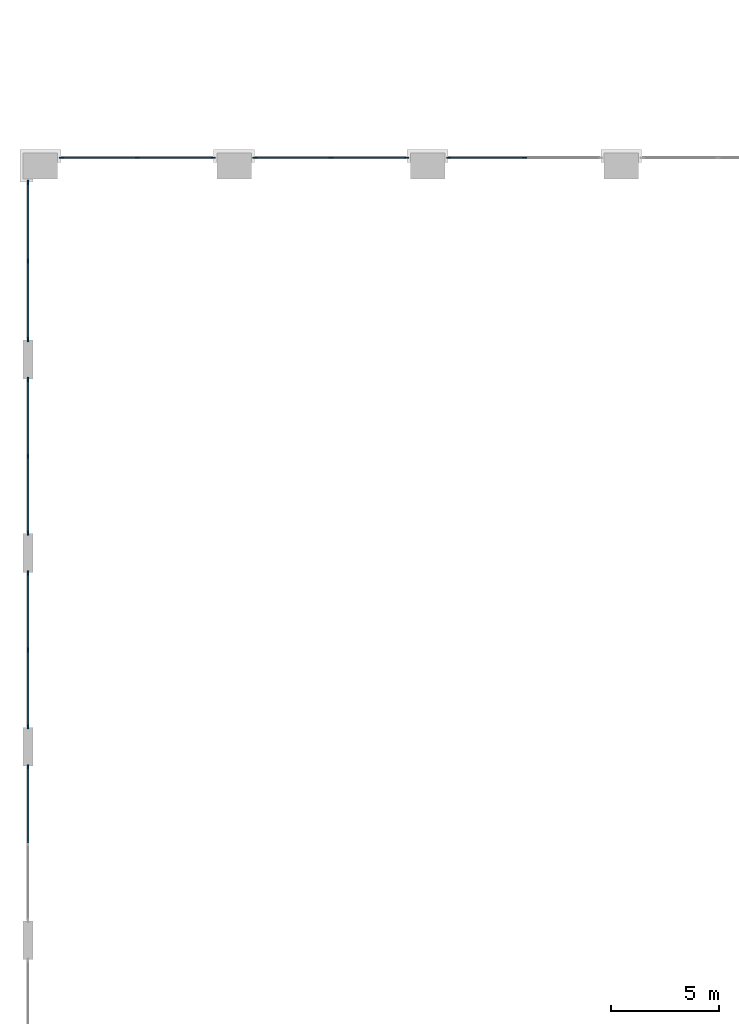
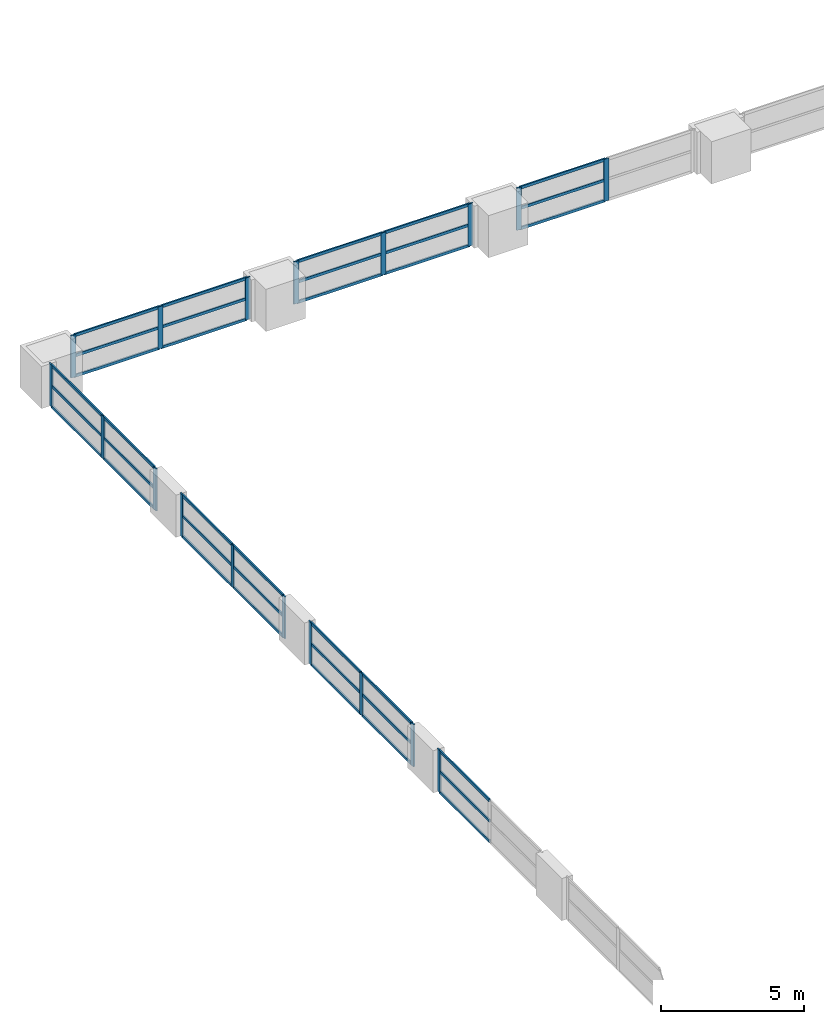
# One storey, part 5 of 32: 54 members, 7 elements without a shape of their own.
"""IFC4 building model written with IfcOpenShell, lengths in metres."""

from ifc_helpers import new_model, si_unit, direction, frame, origin, origin_2d, place, context, subcontext, project, spatial, rectangle, extrude, material, material_profile, profile_set, type_object, element, aggregate, save


model = new_model("IFC4")

# Units and contexts
model_context = context("Model", 3, precision=1e-05, world=origin(), true_north=direction((0.0, 1.0)))
body_context = subcontext(model_context, "Body", "Model", "MODEL_VIEW")
ifc_project = project(units=[si_unit("LENGTHUNIT", "METRE"), si_unit("AREAUNIT", "SQUARE_METRE"), si_unit("VOLUMEUNIT", "CUBIC_METRE"), si_unit("PLANEANGLEUNIT", "RADIAN"), si_unit("MASSUNIT", "GRAM", prefix="KILO")], contexts=[model_context])

# Site, building, storey
site_placement = place(None, origin())
site = spatial("IfcSite", under=ifc_project, at=site_placement, CompositionType="ELEMENT")
building_placement = place(site_placement, origin())
building = spatial("IfcBuilding", under=site, at=building_placement, Name="Aravalli Gate Trade Fair Centre", CompositionType="ELEMENT")
storey_placement = place(building_placement, frame((0.0, 0.0, 23.39990234375)))
storey = spatial("IfcBuildingStorey", under=building, at=storey_placement, Name="ROOF LEVEL 1", CompositionType="ELEMENT", Elevation=23.39990234375)

# Curtain wall, members
ifc_material_1 = material(Name="Aluminium, glass and louvre", Category="aluminium")
curtain_wall_type = type_object("IfcCurtainWallType", Name="Hall crown curtain wall 3000 module", PredefinedType="NOTDEFINED", material=ifc_material_1)
curtain_wall_1_placement = place(storey_placement, origin())
curtain_wall_1 = element("IfcCurtainWall", 1, at=curtain_wall_1_placement, inside=storey, type_object=curtain_wall_type, Name="Hall north crown curtain wall bay 1 ROOF LEVEL 1", PredefinedType="NOTDEFINED")
ifc_material_2 = material(Name="Aluminium", Category="aluminium")
ifc_material_profile_1 = material_profile(ifc_material_2, rectangle(XDim=0.06005859375, YDim=0.199951171875, at=origin_2d()), Name="Hall curtain wall mullion 60 x 200")
ifc_profile_set_1 = profile_set([ifc_material_profile_1], Name="Aluminium")
member_type_1 = type_object("IfcMemberType", Name="Hall curtain wall mullion 60 x 200", PredefinedType="MULLION", material=ifc_profile_set_1)
member_1_placement = place(storey_placement, frame((6.97998046875, 109.375, 0.0), z_axis=(0.0, 0.0, 1.0), x_axis=(0.0, 1.0, 0.0)))
member_1 = element("IfcMember", 2, at=member_1_placement, type_object=member_type_1, Name="HCW1 mullion 1", PredefinedType="MULLION", context=body_context, shape_type="SweptSolid", body=[
    extrude(rectangle(XDim=0.06005859375, YDim=0.199951171875, at=origin_2d()), origin(), (0.0, 0.0, 1.0), 1.800048828125),
])
member_2_placement = place(storey_placement, frame((10.5, 109.375, 0.0), z_axis=(0.0, 0.0, 1.0), x_axis=(0.0, 1.0, 0.0)))
member_2 = element("IfcMember", 3, at=member_2_placement, type_object=member_type_1, Name="HCW1 mullion 2", PredefinedType="MULLION", context=body_context, shape_type="SweptSolid", body=[
    extrude(rectangle(XDim=0.06005859375, YDim=0.199951171875, at=origin_2d()), origin(), (0.0, 0.0, 1.0), 1.800048828125),
])
member_3_placement = place(storey_placement, frame((14.02001953125, 109.375, 0.0), z_axis=(0.0, 0.0, 1.0), x_axis=(0.0, 1.0, 0.0)))
member_3 = element("IfcMember", 4, at=member_3_placement, type_object=member_type_1, Name="HCW1 mullion 3", PredefinedType="MULLION", context=body_context, shape_type="SweptSolid", body=[
    extrude(rectangle(XDim=0.06005859375, YDim=0.199951171875, at=origin_2d()), origin(), (0.0, 0.0, 1.0), 1.800048828125),
])

curtain_wall_2_placement = place(storey_placement, origin())
curtain_wall_2 = element("IfcCurtainWall", 5, at=curtain_wall_2_placement, inside=storey, type_object=curtain_wall_type, Name="Hall north crown curtain wall bay 2 ROOF LEVEL 1", PredefinedType="NOTDEFINED")
member_4_placement = place(storey_placement, frame((15.97998046875, 109.375, 0.0), z_axis=(0.0, 0.0, 1.0), x_axis=(0.0, 1.0, 0.0)))
member_4 = element("IfcMember", 6, at=member_4_placement, type_object=member_type_1, Name="HCW1 mullion 1", PredefinedType="MULLION", context=body_context, shape_type="SweptSolid", body=[
    extrude(rectangle(XDim=0.06005859375, YDim=0.199951171875, at=origin_2d()), origin(), (0.0, 0.0, 1.0), 1.800048828125),
])
member_5_placement = place(storey_placement, frame((19.5, 109.375, 0.0), z_axis=(0.0, 0.0, 1.0), x_axis=(0.0, 1.0, 0.0)))
member_5 = element("IfcMember", 7, at=member_5_placement, type_object=member_type_1, Name="HCW1 mullion 2", PredefinedType="MULLION", context=body_context, shape_type="SweptSolid", body=[
    extrude(rectangle(XDim=0.06005859375, YDim=0.199951171875, at=origin_2d()), origin(), (0.0, 0.0, 1.0), 1.800048828125),
])
member_6_placement = place(storey_placement, frame((23.02001953125, 109.375, 0.0), z_axis=(0.0, 0.0, 1.0), x_axis=(0.0, 1.0, 0.0)))
member_6 = element("IfcMember", 8, at=member_6_placement, type_object=member_type_1, Name="HCW1 mullion 3", PredefinedType="MULLION", context=body_context, shape_type="SweptSolid", body=[
    extrude(rectangle(XDim=0.06005859375, YDim=0.199951171875, at=origin_2d()), origin(), (0.0, 0.0, 1.0), 1.800048828125),
])

curtain_wall_3_placement = place(storey_placement, origin())
curtain_wall_3 = element("IfcCurtainWall", 9, at=curtain_wall_3_placement, inside=storey, type_object=curtain_wall_type, Name="Hall north crown curtain wall bay 3 ROOF LEVEL 1", PredefinedType="NOTDEFINED")
member_7_placement = place(storey_placement, frame((24.97998046875, 109.375, 0.0), z_axis=(0.0, 0.0, 1.0), x_axis=(0.0, 1.0, 0.0)))
member_7 = element("IfcMember", 10, at=member_7_placement, type_object=member_type_1, Name="HCW1 mullion 1", PredefinedType="MULLION", context=body_context, shape_type="SweptSolid", body=[
    extrude(rectangle(XDim=0.06005859375, YDim=0.199951171875, at=origin_2d()), origin(), (0.0, 0.0, 1.0), 1.800048828125),
])
member_8_placement = place(storey_placement, frame((28.5, 109.375, 0.0), z_axis=(0.0, 0.0, 1.0), x_axis=(0.0, 1.0, 0.0)))
member_8 = element("IfcMember", 11, at=member_8_placement, type_object=member_type_1, Name="HCW1 mullion 2", PredefinedType="MULLION", context=body_context, shape_type="SweptSolid", body=[
    extrude(rectangle(XDim=0.06005859375, YDim=0.199951171875, at=origin_2d()), origin(), (0.0, 0.0, 1.0), 1.800048828125),
])

# Curtain wall, member
curtain_wall_4_placement = place(storey_placement, origin())
curtain_wall_4 = element("IfcCurtainWall", 12, at=curtain_wall_4_placement, inside=storey, type_object=curtain_wall_type, Name="Hall west crown curtain wall 4 ROOF LEVEL 1", PredefinedType="NOTDEFINED")
member_9_placement = place(storey_placement, frame((5.425048828125, 81.070068359375, 0.0), z_axis=(0.0, 0.0, 1.0), x_axis=(-1.0, 0.0, 0.0)))
member_9 = element("IfcMember", 13, at=member_9_placement, type_object=member_type_1, Name="HCW1 mullion 3", PredefinedType="MULLION", context=body_context, shape_type="SweptSolid", body=[
    extrude(rectangle(XDim=0.06005859375, YDim=0.199951171875, at=origin_2d()), origin(), (0.0, 0.0, 1.0), 1.800048828125),
])

# Curtain wall, members
curtain_wall_5_placement = place(storey_placement, origin())
curtain_wall_5 = element("IfcCurtainWall", 14, at=curtain_wall_5_placement, inside=storey, type_object=curtain_wall_type, Name="Hall west crown curtain wall 5 ROOF LEVEL 1", PredefinedType="NOTDEFINED")
member_10_placement = place(storey_placement, frame((5.425048828125, 82.929931640625, 0.0), z_axis=(0.0, 0.0, 1.0), x_axis=(-1.0, 0.0, 0.0)))
member_10 = element("IfcMember", 15, at=member_10_placement, type_object=member_type_1, Name="HCW1 mullion 1", PredefinedType="MULLION", context=body_context, shape_type="SweptSolid", body=[
    extrude(rectangle(XDim=0.06005859375, YDim=0.199951171875, at=origin_2d()), origin(), (0.0, 0.0, 1.0), 1.800048828125),
])
member_11_placement = place(storey_placement, frame((5.425048828125, 86.5, 0.0), z_axis=(0.0, 0.0, 1.0), x_axis=(-1.0, 0.0, 0.0)))
member_11 = element("IfcMember", 16, at=member_11_placement, type_object=member_type_1, Name="HCW1 mullion 2", PredefinedType="MULLION", context=body_context, shape_type="SweptSolid", body=[
    extrude(rectangle(XDim=0.06005859375, YDim=0.199951171875, at=origin_2d()), origin(), (0.0, 0.0, 1.0), 1.800048828125),
])
member_12_placement = place(storey_placement, frame((5.425048828125, 90.070068359375, 0.0), z_axis=(0.0, 0.0, 1.0), x_axis=(-1.0, 0.0, 0.0)))
member_12 = element("IfcMember", 17, at=member_12_placement, type_object=member_type_1, Name="HCW1 mullion 3", PredefinedType="MULLION", context=body_context, shape_type="SweptSolid", body=[
    extrude(rectangle(XDim=0.06005859375, YDim=0.199951171875, at=origin_2d()), origin(), (0.0, 0.0, 1.0), 1.800048828125),
])

curtain_wall_6_placement = place(storey_placement, origin())
curtain_wall_6 = element("IfcCurtainWall", 18, at=curtain_wall_6_placement, inside=storey, type_object=curtain_wall_type, Name="Hall west crown curtain wall 6 ROOF LEVEL 1", PredefinedType="NOTDEFINED")
member_13_placement = place(storey_placement, frame((5.425048828125, 91.929931640625, 0.0), z_axis=(0.0, 0.0, 1.0), x_axis=(-1.0, 0.0, 0.0)))
member_13 = element("IfcMember", 19, at=member_13_placement, type_object=member_type_1, Name="HCW1 mullion 1", PredefinedType="MULLION", context=body_context, shape_type="SweptSolid", body=[
    extrude(rectangle(XDim=0.06005859375, YDim=0.199951171875, at=origin_2d()), origin(), (0.0, 0.0, 1.0), 1.800048828125),
])
member_14_placement = place(storey_placement, frame((5.425048828125, 95.5, 0.0), z_axis=(0.0, 0.0, 1.0), x_axis=(-1.0, 0.0, 0.0)))
member_14 = element("IfcMember", 20, at=member_14_placement, type_object=member_type_1, Name="HCW1 mullion 2", PredefinedType="MULLION", context=body_context, shape_type="SweptSolid", body=[
    extrude(rectangle(XDim=0.06005859375, YDim=0.199951171875, at=origin_2d()), origin(), (0.0, 0.0, 1.0), 1.800048828125),
])
member_15_placement = place(storey_placement, frame((5.425048828125, 99.070068359375, 0.0), z_axis=(0.0, 0.0, 1.0), x_axis=(-1.0, 0.0, 0.0)))
member_15 = element("IfcMember", 21, at=member_15_placement, type_object=member_type_1, Name="HCW1 mullion 3", PredefinedType="MULLION", context=body_context, shape_type="SweptSolid", body=[
    extrude(rectangle(XDim=0.06005859375, YDim=0.199951171875, at=origin_2d()), origin(), (0.0, 0.0, 1.0), 1.800048828125),
])

curtain_wall_7_placement = place(storey_placement, origin())
curtain_wall_7 = element("IfcCurtainWall", 22, at=curtain_wall_7_placement, inside=storey, type_object=curtain_wall_type, Name="Hall west crown curtain wall 7 ROOF LEVEL 1", PredefinedType="NOTDEFINED")
member_16_placement = place(storey_placement, frame((5.425048828125, 100.929931640625, 0.0), z_axis=(0.0, 0.0, 1.0), x_axis=(-1.0, 0.0, 0.0)))
member_16 = element("IfcMember", 23, at=member_16_placement, type_object=member_type_1, Name="HCW1 mullion 1", PredefinedType="MULLION", context=body_context, shape_type="SweptSolid", body=[
    extrude(rectangle(XDim=0.06005859375, YDim=0.199951171875, at=origin_2d()), origin(), (0.0, 0.0, 1.0), 1.800048828125),
])
member_17_placement = place(storey_placement, frame((5.425048828125, 104.574951171875, 0.0), z_axis=(0.0, 0.0, 1.0), x_axis=(-1.0, 0.0, 0.0)))
member_17 = element("IfcMember", 24, at=member_17_placement, type_object=member_type_1, Name="HCW1 mullion 2", PredefinedType="MULLION", context=body_context, shape_type="SweptSolid", body=[
    extrude(rectangle(XDim=0.06005859375, YDim=0.199951171875, at=origin_2d()), origin(), (0.0, 0.0, 1.0), 1.800048828125),
])
member_18_placement = place(storey_placement, frame((5.425048828125, 108.219970703125, 0.0), z_axis=(0.0, 0.0, 1.0), x_axis=(-1.0, 0.0, 0.0)))
member_18 = element("IfcMember", 25, at=member_18_placement, type_object=member_type_1, Name="HCW1 mullion 3", PredefinedType="MULLION", context=body_context, shape_type="SweptSolid", body=[
    extrude(rectangle(XDim=0.06005859375, YDim=0.199951171875, at=origin_2d()), origin(), (0.0, 0.0, 1.0), 1.800048828125),
])

# Member
ifc_material_profile_2 = material_profile(ifc_material_2, rectangle(XDim=0.06005859375, YDim=0.1201171875, at=origin_2d()), Name="Hall curtain wall transom 60 x 120")
ifc_profile_set_2 = profile_set([ifc_material_profile_2], Name="Aluminium")
member_type_2 = type_object("IfcMemberType", Name="Hall curtain wall transom 60 x 120", PredefinedType="USERDEFINED", material=ifc_profile_set_2)
member_19_placement = place(storey_placement, frame((7.010009765625, 109.375, 0.030029296875), z_axis=(1.0, 0.0, 0.0), x_axis=(0.0, 1.0, 0.0)))
member_19 = element("IfcMember", 26, at=member_19_placement, type_object=member_type_2, Name="HCW1 transom 1.1", ObjectType="TRANSOM", PredefinedType="USERDEFINED", context=body_context, shape_type="SweptSolid", body=[
    extrude(rectangle(XDim=0.06005859375, YDim=0.1201171875, at=origin_2d()), origin(), (0.0, 0.0, 1.0), 3.4599609375),
])

member_20_placement = place(storey_placement, frame((7.010009765625, 109.375, 0.900146484375), z_axis=(1.0, 0.0, 0.0), x_axis=(0.0, 1.0, 0.0)))
member_20 = element("IfcMember", 27, at=member_20_placement, type_object=member_type_2, Name="HCW1 transom 1.2", ObjectType="TRANSOM", PredefinedType="USERDEFINED", context=body_context, shape_type="SweptSolid", body=[
    extrude(rectangle(XDim=0.06005859375, YDim=0.1201171875, at=origin_2d()), origin(), (0.0, 0.0, 1.0), 3.4599609375),
])

member_21_placement = place(storey_placement, frame((7.010009765625, 109.375, 1.77001953125), z_axis=(1.0, 0.0, 0.0), x_axis=(0.0, 1.0, 0.0)))
member_21 = element("IfcMember", 28, at=member_21_placement, type_object=member_type_2, Name="HCW1 transom 1.3", ObjectType="TRANSOM", PredefinedType="USERDEFINED", context=body_context, shape_type="SweptSolid", body=[
    extrude(rectangle(XDim=0.06005859375, YDim=0.1201171875, at=origin_2d()), origin(), (0.0, 0.0, 1.0), 3.4599609375),
])

member_22_placement = place(storey_placement, frame((10.530029296875, 109.375, 0.030029296875), z_axis=(1.0, 0.0, 0.0), x_axis=(0.0, 1.0, 0.0)))
member_22 = element("IfcMember", 29, at=member_22_placement, type_object=member_type_2, Name="HCW1 transom 2.1", ObjectType="TRANSOM", PredefinedType="USERDEFINED", context=body_context, shape_type="SweptSolid", body=[
    extrude(rectangle(XDim=0.06005859375, YDim=0.1201171875, at=origin_2d()), origin(), (0.0, 0.0, 1.0), 3.4599609375),
])

member_23_placement = place(storey_placement, frame((10.530029296875, 109.375, 0.900146484375), z_axis=(1.0, 0.0, 0.0), x_axis=(0.0, 1.0, 0.0)))
member_23 = element("IfcMember", 30, at=member_23_placement, type_object=member_type_2, Name="HCW1 transom 2.2", ObjectType="TRANSOM", PredefinedType="USERDEFINED", context=body_context, shape_type="SweptSolid", body=[
    extrude(rectangle(XDim=0.06005859375, YDim=0.1201171875, at=origin_2d()), origin(), (0.0, 0.0, 1.0), 3.4599609375),
])

member_24_placement = place(storey_placement, frame((10.530029296875, 109.375, 1.77001953125), z_axis=(1.0, 0.0, 0.0), x_axis=(0.0, 1.0, 0.0)))
member_24 = element("IfcMember", 31, at=member_24_placement, type_object=member_type_2, Name="HCW1 transom 2.3", ObjectType="TRANSOM", PredefinedType="USERDEFINED", context=body_context, shape_type="SweptSolid", body=[
    extrude(rectangle(XDim=0.06005859375, YDim=0.1201171875, at=origin_2d()), origin(), (0.0, 0.0, 1.0), 3.4599609375),
])

aggregate(curtain_wall_1, [member_1, member_2, member_3, member_19, member_20, member_21, member_22, member_23, member_24])

member_25_placement = place(storey_placement, frame((16.010009765625, 109.375, 0.030029296875), z_axis=(1.0, 0.0, 0.0), x_axis=(0.0, 1.0, 0.0)))
member_25 = element("IfcMember", 32, at=member_25_placement, type_object=member_type_2, Name="HCW1 transom 1.1", ObjectType="TRANSOM", PredefinedType="USERDEFINED", context=body_context, shape_type="SweptSolid", body=[
    extrude(rectangle(XDim=0.06005859375, YDim=0.1201171875, at=origin_2d()), origin(), (0.0, 0.0, 1.0), 3.4599609375),
])

member_26_placement = place(storey_placement, frame((16.010009765625, 109.375, 0.900146484375), z_axis=(1.0, 0.0, 0.0), x_axis=(0.0, 1.0, 0.0)))
member_26 = element("IfcMember", 33, at=member_26_placement, type_object=member_type_2, Name="HCW1 transom 1.2", ObjectType="TRANSOM", PredefinedType="USERDEFINED", context=body_context, shape_type="SweptSolid", body=[
    extrude(rectangle(XDim=0.06005859375, YDim=0.1201171875, at=origin_2d()), origin(), (0.0, 0.0, 1.0), 3.4599609375),
])

member_27_placement = place(storey_placement, frame((16.010009765625, 109.375, 1.77001953125), z_axis=(1.0, 0.0, 0.0), x_axis=(0.0, 1.0, 0.0)))
member_27 = element("IfcMember", 34, at=member_27_placement, type_object=member_type_2, Name="HCW1 transom 1.3", ObjectType="TRANSOM", PredefinedType="USERDEFINED", context=body_context, shape_type="SweptSolid", body=[
    extrude(rectangle(XDim=0.06005859375, YDim=0.1201171875, at=origin_2d()), origin(), (0.0, 0.0, 1.0), 3.4599609375),
])

member_28_placement = place(storey_placement, frame((19.530029296875, 109.375, 0.030029296875), z_axis=(1.0, 0.0, 0.0), x_axis=(0.0, 1.0, 0.0)))
member_28 = element("IfcMember", 35, at=member_28_placement, type_object=member_type_2, Name="HCW1 transom 2.1", ObjectType="TRANSOM", PredefinedType="USERDEFINED", context=body_context, shape_type="SweptSolid", body=[
    extrude(rectangle(XDim=0.06005859375, YDim=0.1201171875, at=origin_2d()), origin(), (0.0, 0.0, 1.0), 3.4599609375),
])

member_29_placement = place(storey_placement, frame((19.530029296875, 109.375, 0.900146484375), z_axis=(1.0, 0.0, 0.0), x_axis=(0.0, 1.0, 0.0)))
member_29 = element("IfcMember", 36, at=member_29_placement, type_object=member_type_2, Name="HCW1 transom 2.2", ObjectType="TRANSOM", PredefinedType="USERDEFINED", context=body_context, shape_type="SweptSolid", body=[
    extrude(rectangle(XDim=0.06005859375, YDim=0.1201171875, at=origin_2d()), origin(), (0.0, 0.0, 1.0), 3.4599609375),
])

member_30_placement = place(storey_placement, frame((19.530029296875, 109.375, 1.77001953125), z_axis=(1.0, 0.0, 0.0), x_axis=(0.0, 1.0, 0.0)))
member_30 = element("IfcMember", 37, at=member_30_placement, type_object=member_type_2, Name="HCW1 transom 2.3", ObjectType="TRANSOM", PredefinedType="USERDEFINED", context=body_context, shape_type="SweptSolid", body=[
    extrude(rectangle(XDim=0.06005859375, YDim=0.1201171875, at=origin_2d()), origin(), (0.0, 0.0, 1.0), 3.4599609375),
])

aggregate(curtain_wall_2, [member_4, member_5, member_6, member_25, member_26, member_27, member_28, member_29, member_30])

member_31_placement = place(storey_placement, frame((25.010009765625, 109.375, 0.030029296875), z_axis=(1.0, 0.0, 0.0), x_axis=(0.0, 1.0, 0.0)))
member_31 = element("IfcMember", 38, at=member_31_placement, type_object=member_type_2, Name="HCW1 transom 1.1", ObjectType="TRANSOM", PredefinedType="USERDEFINED", context=body_context, shape_type="SweptSolid", body=[
    extrude(rectangle(XDim=0.06005859375, YDim=0.1201171875, at=origin_2d()), origin(), (0.0, 0.0, 1.0), 3.4599609375),
])

member_32_placement = place(storey_placement, frame((25.010009765625, 109.375, 0.900146484375), z_axis=(1.0, 0.0, 0.0), x_axis=(0.0, 1.0, 0.0)))
member_32 = element("IfcMember", 39, at=member_32_placement, type_object=member_type_2, Name="HCW1 transom 1.2", ObjectType="TRANSOM", PredefinedType="USERDEFINED", context=body_context, shape_type="SweptSolid", body=[
    extrude(rectangle(XDim=0.06005859375, YDim=0.1201171875, at=origin_2d()), origin(), (0.0, 0.0, 1.0), 3.4599609375),
])

member_33_placement = place(storey_placement, frame((25.010009765625, 109.375, 1.77001953125), z_axis=(1.0, 0.0, 0.0), x_axis=(0.0, 1.0, 0.0)))
member_33 = element("IfcMember", 40, at=member_33_placement, type_object=member_type_2, Name="HCW1 transom 1.3", ObjectType="TRANSOM", PredefinedType="USERDEFINED", context=body_context, shape_type="SweptSolid", body=[
    extrude(rectangle(XDim=0.06005859375, YDim=0.1201171875, at=origin_2d()), origin(), (0.0, 0.0, 1.0), 3.4599609375),
])

aggregate(curtain_wall_3, [member_7, member_8, member_31, member_32, member_33])

member_34_placement = place(storey_placement, frame((5.425048828125, 77.530029296875, 0.030029296875), z_axis=(0.0, 1.0, 0.0), x_axis=(-1.0, 0.0, 0.0)))
member_34 = element("IfcMember", 41, at=member_34_placement, type_object=member_type_2, Name="HCW1 transom 2.1", ObjectType="TRANSOM", PredefinedType="USERDEFINED", context=body_context, shape_type="SweptSolid", body=[
    extrude(rectangle(XDim=0.06005859375, YDim=0.1201171875, at=origin_2d()), origin(), (0.0, 0.0, 1.0), 3.510009765625),
])

member_35_placement = place(storey_placement, frame((5.425048828125, 77.530029296875, 0.900146484375), z_axis=(0.0, 1.0, 0.0), x_axis=(-1.0, 0.0, 0.0)))
member_35 = element("IfcMember", 42, at=member_35_placement, type_object=member_type_2, Name="HCW1 transom 2.2", ObjectType="TRANSOM", PredefinedType="USERDEFINED", context=body_context, shape_type="SweptSolid", body=[
    extrude(rectangle(XDim=0.06005859375, YDim=0.1201171875, at=origin_2d()), origin(), (0.0, 0.0, 1.0), 3.510009765625),
])

member_36_placement = place(storey_placement, frame((5.425048828125, 77.530029296875, 1.77001953125), z_axis=(0.0, 1.0, 0.0), x_axis=(-1.0, 0.0, 0.0)))
member_36 = element("IfcMember", 43, at=member_36_placement, type_object=member_type_2, Name="HCW1 transom 2.3", ObjectType="TRANSOM", PredefinedType="USERDEFINED", context=body_context, shape_type="SweptSolid", body=[
    extrude(rectangle(XDim=0.06005859375, YDim=0.1201171875, at=origin_2d()), origin(), (0.0, 0.0, 1.0), 3.510009765625),
])

aggregate(curtain_wall_4, [member_9, member_34, member_35, member_36])

member_37_placement = place(storey_placement, frame((5.425048828125, 82.9599609375, 0.030029296875), z_axis=(0.0, 1.0, 0.0), x_axis=(-1.0, 0.0, 0.0)))
member_37 = element("IfcMember", 44, at=member_37_placement, type_object=member_type_2, Name="HCW1 transom 1.1", ObjectType="TRANSOM", PredefinedType="USERDEFINED", context=body_context, shape_type="SweptSolid", body=[
    extrude(rectangle(XDim=0.06005859375, YDim=0.1201171875, at=origin_2d()), origin(), (0.0, 0.0, 1.0), 3.510009765625),
])

member_38_placement = place(storey_placement, frame((5.425048828125, 82.9599609375, 0.900146484375), z_axis=(0.0, 1.0, 0.0), x_axis=(-1.0, 0.0, 0.0)))
member_38 = element("IfcMember", 45, at=member_38_placement, type_object=member_type_2, Name="HCW1 transom 1.2", ObjectType="TRANSOM", PredefinedType="USERDEFINED", context=body_context, shape_type="SweptSolid", body=[
    extrude(rectangle(XDim=0.06005859375, YDim=0.1201171875, at=origin_2d()), origin(), (0.0, 0.0, 1.0), 3.510009765625),
])

member_39_placement = place(storey_placement, frame((5.425048828125, 82.9599609375, 1.77001953125), z_axis=(0.0, 1.0, 0.0), x_axis=(-1.0, 0.0, 0.0)))
member_39 = element("IfcMember", 46, at=member_39_placement, type_object=member_type_2, Name="HCW1 transom 1.3", ObjectType="TRANSOM", PredefinedType="USERDEFINED", context=body_context, shape_type="SweptSolid", body=[
    extrude(rectangle(XDim=0.06005859375, YDim=0.1201171875, at=origin_2d()), origin(), (0.0, 0.0, 1.0), 3.510009765625),
])

member_40_placement = place(storey_placement, frame((5.425048828125, 86.530029296875, 0.030029296875), z_axis=(0.0, 1.0, 0.0), x_axis=(-1.0, 0.0, 0.0)))
member_40 = element("IfcMember", 47, at=member_40_placement, type_object=member_type_2, Name="HCW1 transom 2.1", ObjectType="TRANSOM", PredefinedType="USERDEFINED", context=body_context, shape_type="SweptSolid", body=[
    extrude(rectangle(XDim=0.06005859375, YDim=0.1201171875, at=origin_2d()), origin(), (0.0, 0.0, 1.0), 3.510009765625),
])

member_41_placement = place(storey_placement, frame((5.425048828125, 86.530029296875, 0.900146484375), z_axis=(0.0, 1.0, 0.0), x_axis=(-1.0, 0.0, 0.0)))
member_41 = element("IfcMember", 48, at=member_41_placement, type_object=member_type_2, Name="HCW1 transom 2.2", ObjectType="TRANSOM", PredefinedType="USERDEFINED", context=body_context, shape_type="SweptSolid", body=[
    extrude(rectangle(XDim=0.06005859375, YDim=0.1201171875, at=origin_2d()), origin(), (0.0, 0.0, 1.0), 3.510009765625),
])

member_42_placement = place(storey_placement, frame((5.425048828125, 86.530029296875, 1.77001953125), z_axis=(0.0, 1.0, 0.0), x_axis=(-1.0, 0.0, 0.0)))
member_42 = element("IfcMember", 49, at=member_42_placement, type_object=member_type_2, Name="HCW1 transom 2.3", ObjectType="TRANSOM", PredefinedType="USERDEFINED", context=body_context, shape_type="SweptSolid", body=[
    extrude(rectangle(XDim=0.06005859375, YDim=0.1201171875, at=origin_2d()), origin(), (0.0, 0.0, 1.0), 3.510009765625),
])

aggregate(curtain_wall_5, [member_10, member_11, member_12, member_37, member_38, member_39, member_40, member_41, member_42])

member_43_placement = place(storey_placement, frame((5.425048828125, 91.9599609375, 0.030029296875), z_axis=(0.0, 1.0, 0.0), x_axis=(-1.0, 0.0, 0.0)))
member_43 = element("IfcMember", 50, at=member_43_placement, type_object=member_type_2, Name="HCW1 transom 1.1", ObjectType="TRANSOM", PredefinedType="USERDEFINED", context=body_context, shape_type="SweptSolid", body=[
    extrude(rectangle(XDim=0.06005859375, YDim=0.1201171875, at=origin_2d()), origin(), (0.0, 0.0, 1.0), 3.510009765625),
])

member_44_placement = place(storey_placement, frame((5.425048828125, 91.9599609375, 0.900146484375), z_axis=(0.0, 1.0, 0.0), x_axis=(-1.0, 0.0, 0.0)))
member_44 = element("IfcMember", 51, at=member_44_placement, type_object=member_type_2, Name="HCW1 transom 1.2", ObjectType="TRANSOM", PredefinedType="USERDEFINED", context=body_context, shape_type="SweptSolid", body=[
    extrude(rectangle(XDim=0.06005859375, YDim=0.1201171875, at=origin_2d()), origin(), (0.0, 0.0, 1.0), 3.510009765625),
])

member_45_placement = place(storey_placement, frame((5.425048828125, 91.9599609375, 1.77001953125), z_axis=(0.0, 1.0, 0.0), x_axis=(-1.0, 0.0, 0.0)))
member_45 = element("IfcMember", 52, at=member_45_placement, type_object=member_type_2, Name="HCW1 transom 1.3", ObjectType="TRANSOM", PredefinedType="USERDEFINED", context=body_context, shape_type="SweptSolid", body=[
    extrude(rectangle(XDim=0.06005859375, YDim=0.1201171875, at=origin_2d()), origin(), (0.0, 0.0, 1.0), 3.510009765625),
])

member_46_placement = place(storey_placement, frame((5.425048828125, 95.530029296875, 0.030029296875), z_axis=(0.0, 1.0, 0.0), x_axis=(-1.0, 0.0, 0.0)))
member_46 = element("IfcMember", 53, at=member_46_placement, type_object=member_type_2, Name="HCW1 transom 2.1", ObjectType="TRANSOM", PredefinedType="USERDEFINED", context=body_context, shape_type="SweptSolid", body=[
    extrude(rectangle(XDim=0.06005859375, YDim=0.1201171875, at=origin_2d()), origin(), (0.0, 0.0, 1.0), 3.510009765625),
])

member_47_placement = place(storey_placement, frame((5.425048828125, 95.530029296875, 0.900146484375), z_axis=(0.0, 1.0, 0.0), x_axis=(-1.0, 0.0, 0.0)))
member_47 = element("IfcMember", 54, at=member_47_placement, type_object=member_type_2, Name="HCW1 transom 2.2", ObjectType="TRANSOM", PredefinedType="USERDEFINED", context=body_context, shape_type="SweptSolid", body=[
    extrude(rectangle(XDim=0.06005859375, YDim=0.1201171875, at=origin_2d()), origin(), (0.0, 0.0, 1.0), 3.510009765625),
])

member_48_placement = place(storey_placement, frame((5.425048828125, 95.530029296875, 1.77001953125), z_axis=(0.0, 1.0, 0.0), x_axis=(-1.0, 0.0, 0.0)))
member_48 = element("IfcMember", 55, at=member_48_placement, type_object=member_type_2, Name="HCW1 transom 2.3", ObjectType="TRANSOM", PredefinedType="USERDEFINED", context=body_context, shape_type="SweptSolid", body=[
    extrude(rectangle(XDim=0.06005859375, YDim=0.1201171875, at=origin_2d()), origin(), (0.0, 0.0, 1.0), 3.510009765625),
])

aggregate(curtain_wall_6, [member_13, member_14, member_15, member_43, member_44, member_45, member_46, member_47, member_48])

member_49_placement = place(storey_placement, frame((5.425048828125, 100.9599609375, 0.030029296875), z_axis=(0.0, 1.0, 0.0), x_axis=(-1.0, 0.0, 0.0)))
member_49 = element("IfcMember", 56, at=member_49_placement, type_object=member_type_2, Name="HCW1 transom 1.1", ObjectType="TRANSOM", PredefinedType="USERDEFINED", context=body_context, shape_type="SweptSolid", body=[
    extrude(rectangle(XDim=0.06005859375, YDim=0.1201171875, at=origin_2d()), origin(), (0.0, 0.0, 1.0), 3.5849609375),
])

member_50_placement = place(storey_placement, frame((5.425048828125, 100.9599609375, 0.900146484375), z_axis=(0.0, 1.0, 0.0), x_axis=(-1.0, 0.0, 0.0)))
member_50 = element("IfcMember", 57, at=member_50_placement, type_object=member_type_2, Name="HCW1 transom 1.2", ObjectType="TRANSOM", PredefinedType="USERDEFINED", context=body_context, shape_type="SweptSolid", body=[
    extrude(rectangle(XDim=0.06005859375, YDim=0.1201171875, at=origin_2d()), origin(), (0.0, 0.0, 1.0), 3.5849609375),
])

member_51_placement = place(storey_placement, frame((5.425048828125, 100.9599609375, 1.77001953125), z_axis=(0.0, 1.0, 0.0), x_axis=(-1.0, 0.0, 0.0)))
member_51 = element("IfcMember", 58, at=member_51_placement, type_object=member_type_2, Name="HCW1 transom 1.3", ObjectType="TRANSOM", PredefinedType="USERDEFINED", context=body_context, shape_type="SweptSolid", body=[
    extrude(rectangle(XDim=0.06005859375, YDim=0.1201171875, at=origin_2d()), origin(), (0.0, 0.0, 1.0), 3.5849609375),
])

member_52_placement = place(storey_placement, frame((5.425048828125, 104.60498046875, 0.030029296875), z_axis=(0.0, 1.0, 0.0), x_axis=(-1.0, 0.0, 0.0)))
member_52 = element("IfcMember", 59, at=member_52_placement, type_object=member_type_2, Name="HCW1 transom 2.1", ObjectType="TRANSOM", PredefinedType="USERDEFINED", context=body_context, shape_type="SweptSolid", body=[
    extrude(rectangle(XDim=0.06005859375, YDim=0.1201171875, at=origin_2d()), origin(), (0.0, 0.0, 1.0), 3.5849609375),
])

member_53_placement = place(storey_placement, frame((5.425048828125, 104.60498046875, 0.900146484375), z_axis=(0.0, 1.0, 0.0), x_axis=(-1.0, 0.0, 0.0)))
member_53 = element("IfcMember", 60, at=member_53_placement, type_object=member_type_2, Name="HCW1 transom 2.2", ObjectType="TRANSOM", PredefinedType="USERDEFINED", context=body_context, shape_type="SweptSolid", body=[
    extrude(rectangle(XDim=0.06005859375, YDim=0.1201171875, at=origin_2d()), origin(), (0.0, 0.0, 1.0), 3.5849609375),
])

member_54_placement = place(storey_placement, frame((5.425048828125, 104.60498046875, 1.77001953125), z_axis=(0.0, 1.0, 0.0), x_axis=(-1.0, 0.0, 0.0)))
member_54 = element("IfcMember", 61, at=member_54_placement, type_object=member_type_2, Name="HCW1 transom 2.3", ObjectType="TRANSOM", PredefinedType="USERDEFINED", context=body_context, shape_type="SweptSolid", body=[
    extrude(rectangle(XDim=0.06005859375, YDim=0.1201171875, at=origin_2d()), origin(), (0.0, 0.0, 1.0), 3.5849609375),
])

aggregate(curtain_wall_7, [member_16, member_17, member_18, member_49, member_50, member_51, member_52, member_53, member_54])

save(model, "model.ifc")
